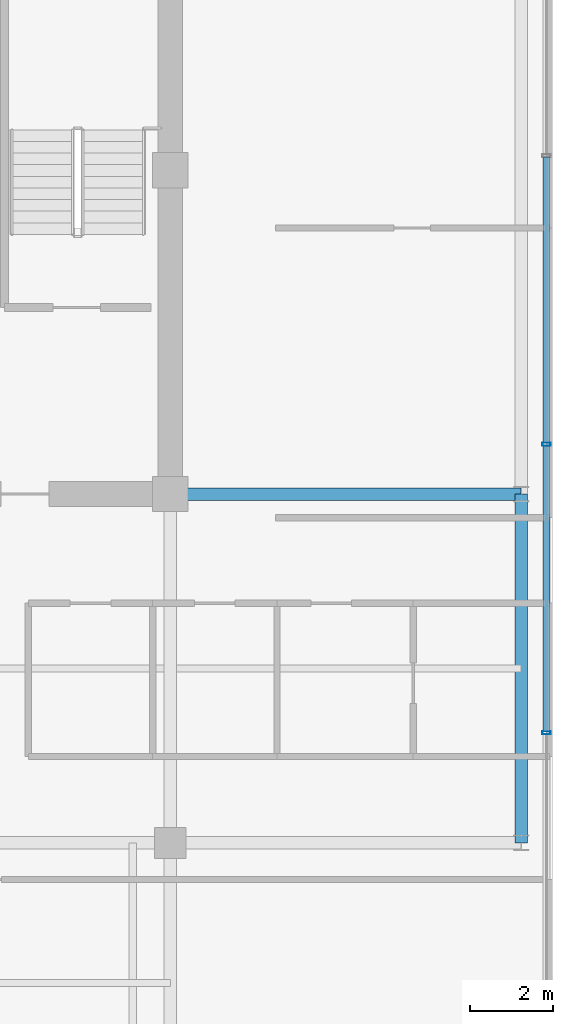
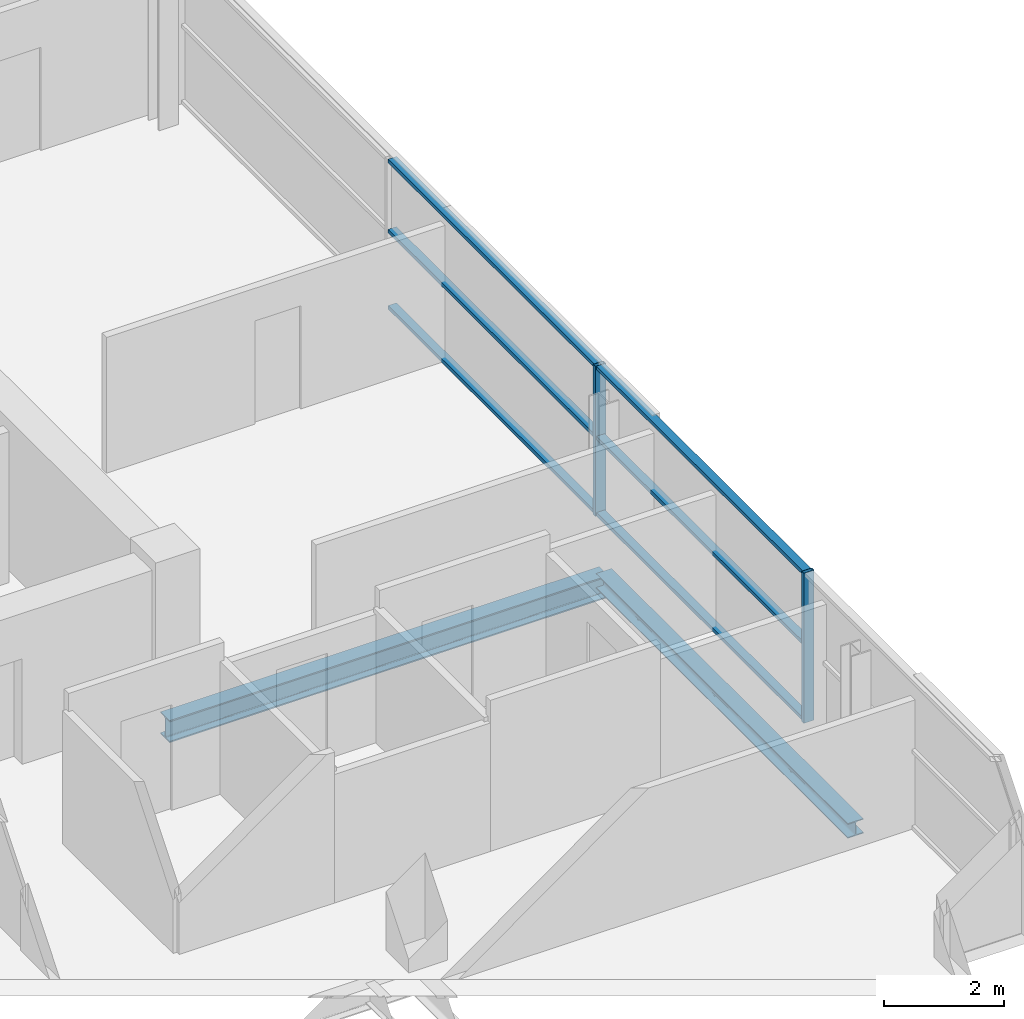
# One storey, part 9 of 21: 8 members, 2 beams, 1 element without a shape of its own.
"""IFC4 building model written with IfcOpenShell, lengths in metres."""

import ifcopenshell
import ifcopenshell.guid

model = None  # the IFC model being written
_history = None  # IfcOwnerHistory: only IFC2X3 demands one
_inside = {}  # id of a spatial element -> (the spatial element, [elements in it])
_under = {}  # id of a project, library or spatial element -> (it, [spatial elements below it])
_declared = {}  # id of a project -> (the project, [libraries it declares])
_typed = {}  # id of a type object -> (the type object, [elements of that type])
_made_of = {}  # id of a material, layer set ... -> (it, [elements and type objects made of it])


def new_model(schema):
    """Start an empty IFC model of exactly this schema.

    Asked for "IFC4X3", IfcOpenShell would pick the latest addendum, in which some entities
    have other attributes; the version numbers below select the first issue.
    IFC2X3 requires an IfcOwnerHistory on every rooted entity: one is made here for all.
    """
    global model, _history
    if schema == "IFC4X3":
        model = ifcopenshell.file(schema_version=(4, 3, 0, 0))
    else:
        model = ifcopenshell.file(schema=schema)
    _inside.clear()
    _under.clear()
    _declared.clear()
    _typed.clear()
    _made_of.clear()
    _history = None
    if model.schema == "IFC2X3":
        org = make("IfcOrganization", Name="unknown")
        user = make(
            "IfcPersonAndOrganization",
            ThePerson=make("IfcPerson", FamilyName="unknown"),
            TheOrganization=org,
        )
        app = make(
            "IfcApplication",
            ApplicationDeveloper=org,
            Version="unknown",
            ApplicationFullName="unknown",
            ApplicationIdentifier="unknown",
        )
        _history = make(
            "IfcOwnerHistory",
            OwningUser=user,
            OwningApplication=app,
            ChangeAction="ADDED",
            CreationDate=0,
        )
    return model


def make(cls, **values):
    """One entity of the class cls with the attributes given. An attribute that is None is left unset."""
    return model.create_entity(
        cls, **{name: value for name, value in values.items() if value is not None}
    )


def rooted(cls, **values):
    """An entity with a GlobalId (a new one), such as an element, a storey or a relation."""
    return make(cls, GlobalId=ifcopenshell.guid.new(), OwnerHistory=_history, **values)


def si_unit(unit_type, name, prefix=None):
    """IfcSIUnit, for example si_unit("LENGTHUNIT", "METRE", prefix="MILLI")."""
    return make("IfcSIUnit", UnitType=unit_type, Prefix=prefix, Name=name)


def assignment(units):
    """IfcUnitAssignment: the units of a project."""
    return None if units is None else make("IfcUnitAssignment", Units=units)


def point(xyz):
    """IfcCartesianPoint."""
    return None if xyz is None else make("IfcCartesianPoint", Coordinates=xyz)


def direction(xyz):
    """IfcDirection."""
    return None if xyz is None else make("IfcDirection", DirectionRatios=xyz)


def frame(location, z_axis=None, x_axis=None):
    """IfcAxis2Placement3D, a coordinate frame: its origin and axes. An axis left out is left unset."""
    return make(
        "IfcAxis2Placement3D",
        Location=point(location),
        Axis=direction(z_axis),
        RefDirection=direction(x_axis),
    )


def frame_2d(location, x_axis=None):
    """IfcAxis2Placement2D, a coordinate frame in the plane: its origin and x axis."""
    return make(
        "IfcAxis2Placement2D", Location=point(location), RefDirection=direction(x_axis)
    )


def origin():
    """The frame at (0, 0, 0) with its axes left unset."""
    return frame((0.0, 0.0, 0.0))


def origin_2d():
    """The frame at (0, 0) in the plane with its x axis left unset."""
    return frame_2d((0.0, 0.0))


def place(relative_to, where):
    """IfcLocalPlacement: puts the frame where relative to a parent placement (None: the world)."""
    return make(
        "IfcLocalPlacement", PlacementRelTo=relative_to, RelativePlacement=where
    )


def context(
    kind, dimensions, precision=None, world=None, true_north=None, identifier=None
):
    """IfcGeometricRepresentationContext, for example the 3D "Model" context."""
    return make(
        "IfcGeometricRepresentationContext",
        ContextIdentifier=identifier,
        ContextType=kind,
        CoordinateSpaceDimension=dimensions,
        Precision=precision,
        WorldCoordinateSystem=world,
        TrueNorth=true_north,
    )


def subcontext(parent, identifier, kind, view, scale=None):
    """IfcGeometricRepresentationSubContext, for example "Body" below "Model"."""
    return make(
        "IfcGeometricRepresentationSubContext",
        ContextIdentifier=identifier,
        ContextType=kind,
        ParentContext=parent,
        TargetScale=scale,
        TargetView=view,
    )


def project(units=None, contexts=None):
    """IfcProject with its units and contexts."""
    return rooted(
        "IfcProject",
        Name="project",
        RepresentationContexts=contexts,
        UnitsInContext=assignment(units),
    )


def spatial(cls, under=None, at=None, **own):
    """A site, building, storey or space (cls), placed at a placement, below another one or the project."""
    s = rooted(cls, ObjectPlacement=at, **own)
    if under is not None:
        _under.setdefault(under.id(), (under, []))[1].append(s)
    return s


def profile(cls, at=None, kind="AREA", **sizes):
    """A parametric profile (cls). Its sizes go by their IFC names, for example OverallWidth=200.0."""
    return make(cls, ProfileType=kind, Position=at, **sizes)


def hollow_rectangle(**sizes):
    """IfcRectangleHollowProfileDef."""
    return profile("IfcRectangleHollowProfileDef", **sizes)


def i_section(**sizes):
    """IfcIShapeProfileDef."""
    return profile("IfcIShapeProfileDef", **sizes)


def extrude(swept, where, along, depth):
    """IfcExtrudedAreaSolid: the profile swept, set in the frame where, extruded along a direction by depth."""
    return make(
        "IfcExtrudedAreaSolid",
        SweptArea=swept,
        Position=where,
        ExtrudedDirection=direction(along),
        Depth=depth,
    )


def shape(context_of_items, identifier, shape_type, items):
    """IfcShapeRepresentation: the items that make up one representation, for example the "Body"."""
    return make(
        "IfcShapeRepresentation",
        ContextOfItems=context_of_items,
        RepresentationIdentifier=identifier,
        RepresentationType=shape_type,
        Items=items,
    )


def source(mapping_origin, context_of_items, identifier, shape_type, items):
    """IfcRepresentationMap: a shape defined once, which mapped items show again and again."""
    return make(
        "IfcRepresentationMap",
        MappingOrigin=mapping_origin,
        MappedRepresentation=shape(context_of_items, identifier, shape_type, items),
    )


def transform(
    local_origin,
    x_axis=None,
    y_axis=None,
    z_axis=None,
    scale=None,
    scale2=None,
    scale3=None,
    uniform=True,
):
    """IfcCartesianTransformationOperator3D, or its non-uniform kind. x_axis, y_axis, z_axis: its Axis1, 2, 3."""
    if uniform:
        return make(
            "IfcCartesianTransformationOperator3D",
            Axis1=direction(x_axis),
            Axis2=direction(y_axis),
            LocalOrigin=point(local_origin),
            Scale=scale,
            Axis3=direction(z_axis),
        )
    return make(
        "IfcCartesianTransformationOperator3DnonUniform",
        Axis1=direction(x_axis),
        Axis2=direction(y_axis),
        LocalOrigin=point(local_origin),
        Scale=scale,
        Axis3=direction(z_axis),
        Scale2=scale2,
        Scale3=scale3,
    )


def mapped(mapping_source, mapping_target):
    """IfcMappedItem: shows the shape of a source again, moved by a transform."""
    return make(
        "IfcMappedItem", MappingSource=mapping_source, MappingTarget=mapping_target
    )


def material(Name=None, Category=None):
    """IfcMaterial."""
    return make("IfcMaterial", Name=Name, Category=Category)


def layer(
    of_material, thickness, ventilated=None, Name=None, Category=None, Priority=None
):
    """IfcMaterialLayer: one layer of a wall or slab, of a material (None: an air gap)."""
    return make(
        "IfcMaterialLayer",
        Material=of_material,
        LayerThickness=thickness,
        IsVentilated=ventilated,
        Name=Name,
        Category=Category,
        Priority=Priority,
    )


def layer_set(layers, Name=None):
    """IfcMaterialLayerSet."""
    return make("IfcMaterialLayerSet", MaterialLayers=layers, LayerSetName=Name)


def material_profile(
    of_material, cross_section, Name=None, Category=None, Priority=None
):
    """IfcMaterialProfile: a cross section and its material."""
    return make(
        "IfcMaterialProfile",
        Name=Name,
        Material=of_material,
        Profile=cross_section,
        Priority=Priority,
        Category=Category,
    )


def profile_set(profiles, Name=None, composite=None):
    """IfcMaterialProfileSet."""
    return make(
        "IfcMaterialProfileSet",
        Name=Name,
        MaterialProfiles=profiles,
        CompositeProfile=composite,
    )


def made_of(thing, what):
    """Note that an element or type object is made of a material, layer set ...; save() writes the relation."""
    if what is not None:
        _made_of.setdefault(what.id(), (what, []))[1].append(thing)
    return thing


def type_object(cls, material=None, **own):
    """A type object (cls), such as IfcWallType, which elements share."""
    return made_of(rooted(cls, **own), material)


def element(
    cls,
    number,
    at=None,
    inside=None,
    cuts=None,
    type_object=None,
    material=None,
    context=None,
    identifier="Body",
    shape_type=None,
    held_by="IfcProductDefinitionShape",
    body=None,
    shapes=None,
    **own,
):
    """One element of the class cls, such as IfcWall. Its Tag is "e" and its number.

    at: its placement. inside: the storey or other place that contains it. cuts: it is an
    opening in that element (IfcRelVoidsElement). A single representation is given by context,
    identifier, shape_type and body (its items); several are given by shapes. held_by: the class
    of the entity that holds the representations. save() writes the other relations.
    """
    e = rooted(cls, Tag="e%d" % number, ObjectPlacement=at, **own)
    if body is not None:
        shapes = [shape(context, identifier, shape_type, body)]
    if shapes is not None:
        e.Representation = make(held_by, Representations=shapes)
    if inside is not None:
        _inside.setdefault(inside.id(), (inside, []))[1].append(e)
    if cuts is not None:
        rooted(
            "IfcRelVoidsElement", RelatingBuildingElement=cuts, RelatedOpeningElement=e
        )
    if type_object is not None:
        _typed.setdefault(type_object.id(), (type_object, []))[1].append(e)
    return made_of(e, material)


def aggregate(whole, parts):
    """IfcRelAggregates: a whole, such as a stair, and the parts it consists of."""
    return rooted("IfcRelAggregates", RelatingObject=whole, RelatedObjects=parts)


def save(model, path):
    """Write the relations noted so far, then the file.

    IfcRelAggregates (storeys below a building ...), IfcRelContainedInSpatialStructure (elements
    in a storey), IfcRelDefinesByType, IfcRelAssociatesMaterial and IfcRelDeclares: one each for
    every whole, place, type object, material and project.
    """
    for whole, parts in _under.values():
        aggregate(whole, parts)
    for where, things in _inside.values():
        rooted(
            "IfcRelContainedInSpatialStructure",
            RelatedElements=things,
            RelatingStructure=where,
        )
    for kind, things in _typed.values():
        rooted("IfcRelDefinesByType", RelatedObjects=things, RelatingType=kind)
    for what, things in _made_of.values():
        rooted("IfcRelAssociatesMaterial", RelatedObjects=things, RelatingMaterial=what)
    for by, libraries in _declared.values():
        rooted("IfcRelDeclares", RelatingContext=by, RelatedDefinitions=libraries)
    model.write(path)


model = new_model("IFC4")

# Units and contexts
model_context = context("Model", 3, precision=1e-05, world=origin(), true_north=direction((0.0, 1.0)))
body_context = subcontext(model_context, "Body", "Model", "MODEL_VIEW")
ifc_project = project(units=[si_unit("LENGTHUNIT", "METRE"), si_unit("AREAUNIT", "SQUARE_METRE"), si_unit("VOLUMEUNIT", "CUBIC_METRE"), si_unit("PLANEANGLEUNIT", "RADIAN"), si_unit("MASSUNIT", "GRAM", prefix="KILO")], contexts=[model_context])

# Site, building, storey
site_placement = place(None, origin())
site = spatial("IfcSite", under=ifc_project, at=site_placement, CompositionType="ELEMENT")
building_placement = place(site_placement, origin())
building = spatial("IfcBuilding", under=site, at=building_placement, Name="Zarnakvel Exchange Tower", CompositionType="ELEMENT")
storey_placement = place(building_placement, frame((0.0, 0.0, 255.10009765625)))
storey = spatial("IfcBuildingStorey", under=building, at=storey_placement, Name="L72", CompositionType="ELEMENT", Elevation=255.10009765625)

# Beams
ifc_material_1 = material(Name="Steel S355", Category="steel")
ifc_material_profile_1 = material_profile(ifc_material_1, i_section(OverallWidth=0.300048828125, OverallDepth=0.449951171875, WebThickness=0.013916015625, FlangeThickness=0.02587890625, FilletRadius=0.027099609375, at=origin_2d()))
ifc_profile_set_1 = profile_set([ifc_material_profile_1], Name="Steel S355")
beam_type_1 = type_object("IfcBeamType", Name="G-07", PredefinedType="BEAM", material=ifc_profile_set_1)
beam_1_placement = place(storey_placement, frame((14.39990234375, -1.199951171875, -0.4501953125), z_axis=(1.0, 0.0, 0.0), x_axis=(0.0, 1.0, 0.0)))
element("IfcBeam", 1, at=beam_1_placement, inside=storey, type_object=beam_type_1, Name="L72 Tower E-W Frame Beam", PredefinedType="BEAM", context=body_context, shape_type="SweptSolid", body=[
    extrude(i_section(OverallWidth=0.300048828125, OverallDepth=0.449951171875, WebThickness=0.013916015625, FlangeThickness=0.02587890625, FilletRadius=0.027099609375, at=origin_2d()), origin(), (0.0, 0.0, 1.0), 8.4501953125),
])
ifc_material_profile_2 = material_profile(ifc_material_1, i_section(OverallWidth=0.300048828125, OverallDepth=0.300048828125, WebThickness=0.010986328125, FlangeThickness=0.01904296875, FilletRadius=0.027099609375, at=origin_2d()))
ifc_profile_set_2 = profile_set([ifc_material_profile_2], Name="Steel S355")
beam_type_2 = type_object("IfcBeamType", Name="SP-03", PredefinedType="SPANDREL", material=ifc_profile_set_2)
beam_2_placement = place(storey_placement, frame((22.85009765625, -9.60009765625, -0.375), z_axis=(0.0, 1.0, 0.0), x_axis=(-1.0, 0.0, 0.0)))
element("IfcBeam", 2, at=beam_2_placement, inside=storey, type_object=beam_type_2, Name="L72 Tower N-S Frame Beam", PredefinedType="SPANDREL", context=body_context, shape_type="SweptSolid", body=[
    extrude(i_section(OverallWidth=0.300048828125, OverallDepth=0.300048828125, WebThickness=0.010986328125, FlangeThickness=0.01904296875, FilletRadius=0.027099609375, at=origin_2d()), origin(), (0.0, 0.0, 1.0), 8.400146484375),
])

# Curtain wall, members
ifc_material_2 = material(Name="Architectural Bronze Anodised Aluminium", Category="aluminium")
ifc_layer = layer(ifc_material_2, 0.199951171875)
ifc_layer_set = layer_set([ifc_layer], Name="Architectural Bronze Anodised Aluminium")
curtain_wall_type = type_object("IfcCurtainWallType", Name="CW-04", PredefinedType="NOTDEFINED", material=ifc_layer_set)
curtain_wall_placement = place(storey_placement, origin())
curtain_wall = element("IfcCurtainWall", 3, at=curtain_wall_placement, inside=storey, type_object=curtain_wall_type, Name="L72 Curtain Wall CW-L72-E1 (CW-04)", PredefinedType="NOTDEFINED")
ifc_material_profile_3 = material_profile(ifc_material_2, hollow_rectangle(XDim=0.199951171875, YDim=0.074951171875, WallThickness=0.0048828125, at=origin_2d()))
ifc_profile_set_3 = profile_set([ifc_material_profile_3], Name="Architectural Bronze Anodised Aluminium")
member_type_1 = type_object("IfcMemberType", Name="CWM-04", PredefinedType="MULLION", material=ifc_profile_set_3)
shared_shape_1 = source(origin(), body_context, "Body", "SweptSolid", [
    extrude(hollow_rectangle(XDim=0.199951171875, YDim=0.074951171875, WallThickness=0.0048828125, at=origin_2d()), origin(), (0.0, 0.0, 1.0), 3.054931640625),
])
member_1_placement = place(storey_placement, frame((23.4599609375, -6.949951171875, 0.0), z_axis=(0.0, 0.0, 1.0), x_axis=(-1.0, 0.0, 0.0)))
member_1 = element("IfcMember", 4, at=member_1_placement, type_object=member_type_1, Name="CW-04 mullion 2", PredefinedType="MULLION", context=body_context, shape_type="MappedRepresentation", body=[
    mapped(shared_shape_1, transform((0.0, 0.0, 0.0), x_axis=(1.0, 0.0, 0.0), y_axis=(0.0, 1.0, 0.0), z_axis=(0.0, 0.0, 1.0), scale=1.0)),
])
member_2_placement = place(storey_placement, frame((23.4599609375, 0.0, 0.0), z_axis=(0.0, 0.0, 1.0), x_axis=(-1.0, 0.0, 0.0)))
member_2 = element("IfcMember", 5, at=member_2_placement, type_object=member_type_1, Name="CW-04 mullion 3", PredefinedType="MULLION", context=body_context, shape_type="MappedRepresentation", body=[
    mapped(shared_shape_1, transform((0.0, 0.0, 0.0), x_axis=(1.0, 0.0, 0.0), y_axis=(0.0, 1.0, 0.0), z_axis=(0.0, 0.0, 1.0), scale=1.0)),
])
ifc_material_profile_4 = material_profile(ifc_material_2, hollow_rectangle(XDim=0.159912109375, YDim=0.074951171875, WallThickness=0.00390625, at=origin_2d()))
ifc_profile_set_4 = profile_set([ifc_material_profile_4], Name="Architectural Bronze Anodised Aluminium")
member_type_2 = type_object("IfcMemberType", Name="CWT-04", PredefinedType="USERDEFINED", material=ifc_profile_set_4)
shared_shape_2 = source(origin(), body_context, "Body", "SweptSolid", [
    extrude(hollow_rectangle(XDim=0.159912109375, YDim=0.074951171875, WallThickness=0.00390625, at=origin_2d()), origin(), (0.0, 0.0, 1.0), 6.875),
])
member_3_placement = place(storey_placement, frame((23.4599609375, -6.91259765625, 0.037353515625), z_axis=(0.0, 1.0, 0.0), x_axis=(-1.0, 0.0, 0.0)))
member_3 = element("IfcMember", 6, at=member_3_placement, type_object=member_type_2, Name="CW-04 transom 2.1", ObjectType="TRANSOM", PredefinedType="USERDEFINED", context=body_context, shape_type="MappedRepresentation", body=[
    mapped(shared_shape_2, transform((0.0, 0.0, 0.0), x_axis=(1.0, 0.0, 0.0), y_axis=(0.0, 1.0, 0.0), z_axis=(0.0, 0.0, 1.0), scale=1.0)),
])
member_4_placement = place(storey_placement, frame((23.4599609375, -6.91259765625, 1.588623046875), z_axis=(0.0, 1.0, 0.0), x_axis=(-1.0, 0.0, 0.0)))
member_4 = element("IfcMember", 7, at=member_4_placement, type_object=member_type_2, Name="CW-04 transom 2.2", ObjectType="TRANSOM", PredefinedType="USERDEFINED", context=body_context, shape_type="MappedRepresentation", body=[
    mapped(shared_shape_2, transform((0.0, 0.0, 0.0), x_axis=(1.0, 0.0, 0.0), y_axis=(0.0, 1.0, 0.0), z_axis=(0.0, 0.0, 1.0), scale=1.0)),
])
member_5_placement = place(storey_placement, frame((23.4599609375, -6.91259765625, 3.017333984375), z_axis=(0.0, 1.0, 0.0), x_axis=(-1.0, 0.0, 0.0)))
member_5 = element("IfcMember", 8, at=member_5_placement, type_object=member_type_2, Name="CW-04 transom 2.3", ObjectType="TRANSOM", PredefinedType="USERDEFINED", context=body_context, shape_type="MappedRepresentation", body=[
    mapped(shared_shape_2, transform((0.0, 0.0, 0.0), x_axis=(1.0, 0.0, 0.0), y_axis=(0.0, 1.0, 0.0), z_axis=(0.0, 0.0, 1.0), scale=1.0)),
])
member_6_placement = place(storey_placement, frame((23.4599609375, 0.03759765625, 0.037353515625), z_axis=(0.0, 1.0, 0.0), x_axis=(-1.0, 0.0, 0.0)))
member_6 = element("IfcMember", 9, at=member_6_placement, type_object=member_type_2, Name="CW-04 transom 3.1", ObjectType="TRANSOM", PredefinedType="USERDEFINED", context=body_context, shape_type="MappedRepresentation", body=[
    mapped(shared_shape_2, transform((0.0, 0.0, 0.0), x_axis=(1.0, 0.0, 0.0), y_axis=(0.0, 1.0, 0.0), z_axis=(0.0, 0.0, 1.0), scale=1.0)),
])
member_7_placement = place(storey_placement, frame((23.4599609375, 0.03759765625, 1.588623046875), z_axis=(0.0, 1.0, 0.0), x_axis=(-1.0, 0.0, 0.0)))
member_7 = element("IfcMember", 10, at=member_7_placement, type_object=member_type_2, Name="CW-04 transom 3.2", ObjectType="TRANSOM", PredefinedType="USERDEFINED", context=body_context, shape_type="MappedRepresentation", body=[
    mapped(shared_shape_2, transform((0.0, 0.0, 0.0), x_axis=(1.0, 0.0, 0.0), y_axis=(0.0, 1.0, 0.0), z_axis=(0.0, 0.0, 1.0), scale=1.0)),
])
member_8_placement = place(storey_placement, frame((23.4599609375, 0.03759765625, 3.017333984375), z_axis=(0.0, 1.0, 0.0), x_axis=(-1.0, 0.0, 0.0)))
member_8 = element("IfcMember", 11, at=member_8_placement, type_object=member_type_2, Name="CW-04 transom 3.3", ObjectType="TRANSOM", PredefinedType="USERDEFINED", context=body_context, shape_type="MappedRepresentation", body=[
    mapped(shared_shape_2, transform((0.0, 0.0, 0.0), x_axis=(1.0, 0.0, 0.0), y_axis=(0.0, 1.0, 0.0), z_axis=(0.0, 0.0, 1.0), scale=1.0)),
])
aggregate(curtain_wall, [member_1, member_2, member_3, member_4, member_5, member_6, member_7, member_8])

save(model, "model.ifc")
